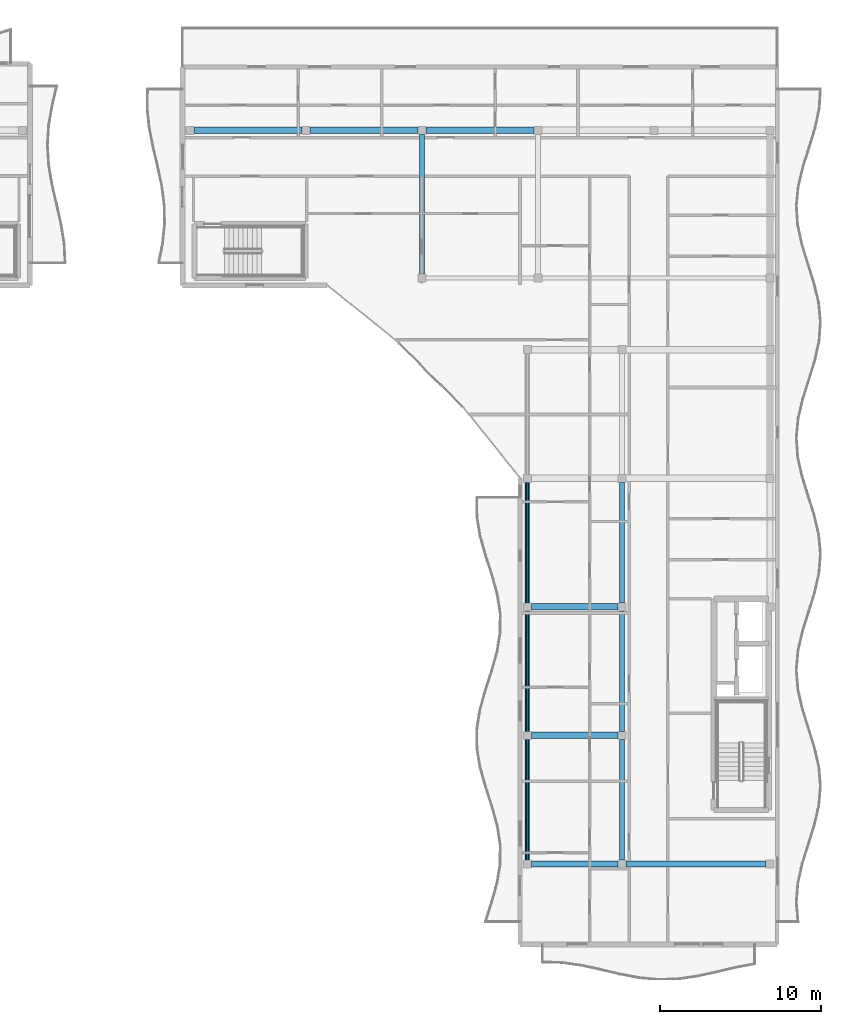
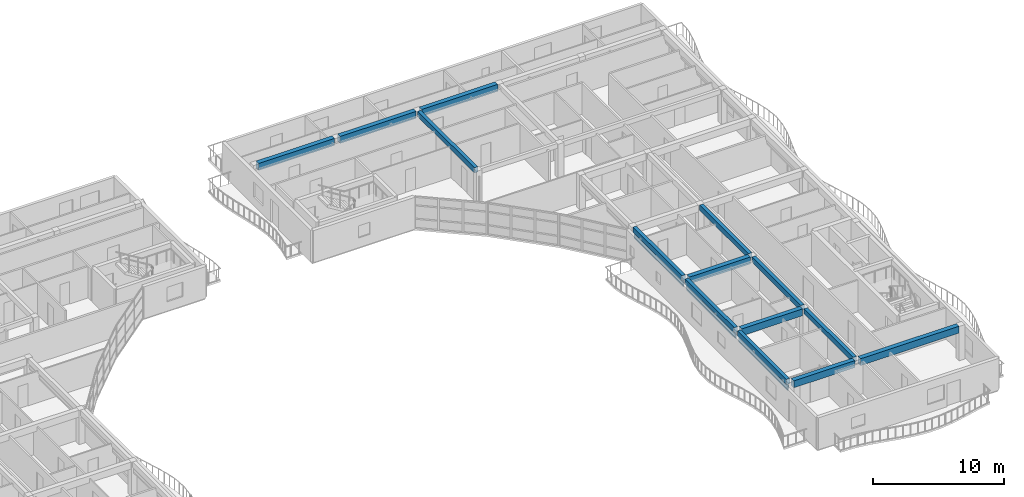
# One storey, part 14 of 39: 14 beams, 6 members.
"""IFC4 building model written with IfcOpenShell, lengths in metres."""

from ifc_helpers import new_model, si_unit, direction, frame, origin, origin_2d, place, context, subcontext, project, spatial, rectangle, hollow_rectangle, extrude, material, material_profile, profile_set, type_object, element, save


model = new_model("IFC4")

# Units and contexts
model_context = context("Model", 3, precision=1e-05, world=origin(), true_north=direction((0.0, 1.0)))
body_context = subcontext(model_context, "Body", "Model", "MODEL_VIEW")
ifc_project = project(units=[si_unit("LENGTHUNIT", "METRE"), si_unit("AREAUNIT", "SQUARE_METRE"), si_unit("VOLUMEUNIT", "CUBIC_METRE"), si_unit("PLANEANGLEUNIT", "RADIAN"), si_unit("MASSUNIT", "GRAM", prefix="KILO")], contexts=[model_context])

# Site, building, storey
site_placement = place(None, origin())
site = spatial("IfcSite", under=ifc_project, at=site_placement, CompositionType="ELEMENT")
building_placement = place(site_placement, origin())
building = spatial("IfcBuilding", under=site, at=building_placement, Name="Keldmere Railside Commons", CompositionType="ELEMENT")
storey_placement = place(building_placement, frame((0.0, 0.0, 32.9599609375)))
storey = spatial("IfcBuildingStorey", under=building, at=storey_placement, Name="L10", CompositionType="ELEMENT", Elevation=32.9599609375)

# Members
ifc_material_1 = material(Name="Steel F-36 (S355)", Category="steel")
ifc_material_profile_1 = material_profile(ifc_material_1, hollow_rectangle(XDim=0.14990234375, YDim=0.25, WallThickness=0.010009765625, at=origin_2d()), Name="RHS-250x150x10")
ifc_profile_set_1 = profile_set([ifc_material_profile_1], Name="Steel F-36 (S355)")
member_type_1 = type_object("IfcMemberType", Name="Balcony Continuous Planted Trough RHS250x150", PredefinedType="CHORD", material=ifc_profile_set_1)
for number, where, z_axis, x_axis, name in (
    (1, (168.449951171875, 64.25, 2.4150390625), (0.0, 1.0, 0.0), (-1.0, 0.0, 0.0), "PLT-1 MEM-BPLT-0995"),
    (2, (168.449951171875, 72.25, 2.4150390625), (0.0, 1.0, 0.0), (-1.0, 0.0, 0.0), "PLT-1 MEM-BPLT-0997"),
    (3, (168.449951171875, 80.25, 2.4150390625), (0.0, 1.0, 0.0), (-1.0, 0.0, 0.0), "PLT-1 MEM-BPLT-0999"),
):
    element("IfcMember", number, at=place(storey_placement, frame(where, z_axis=z_axis, x_axis=x_axis)), inside=storey, type_object=member_type_1, Name=name, PredefinedType="CHORD", context=body_context, shape_type="SweptSolid", body=[
        extrude(hollow_rectangle(XDim=0.14990234375, YDim=0.25, WallThickness=0.010009765625, at=origin_2d()), origin(), (0.0, 0.0, 1.0), 7.5),
    ])

# Beams
ifc_material_2 = material(Name="Concrete H-30 (C30/37)", Category="concrete")
ifc_material_profile_2 = material_profile(ifc_material_2, rectangle(XDim=0.39990234375, YDim=0.64990234375, at=origin_2d()), Name="RC-400x650")
ifc_profile_set_2 = profile_set([ifc_material_profile_2], Name="Concrete H-30 (C30/37)")
beam_type_1 = type_object("IfcBeamType", Name="Residential Spine RC Girder 400x650", PredefinedType="BEAM", material=ifc_profile_set_2)
beam_1_placement = place(storey_placement, frame((168.699951171875, 64.0, 2.875), z_axis=(1.0, 0.0, 0.0), x_axis=(0.0, 1.0, 0.0)))
element("IfcBeam", 4, at=beam_1_placement, inside=storey, type_object=beam_type_1, Name="BG-3 BM-L10-2369", PredefinedType="BEAM", context=body_context, shape_type="SweptSolid", body=[
    extrude(rectangle(XDim=0.39990234375, YDim=0.64990234375, at=origin_2d()), origin(), (0.0, 0.0, 1.0), 5.400146484375),
])
beam_2_placement = place(storey_placement, frame((174.60009765625, 64.0, 2.875), z_axis=(1.0, 0.0, 0.0), x_axis=(0.0, 1.0, 0.0)))
element("IfcBeam", 5, at=beam_2_placement, inside=storey, type_object=beam_type_1, Name="BG-3 BM-L10-2370", PredefinedType="BEAM", context=body_context, shape_type="SweptSolid", body=[
    extrude(rectangle(XDim=0.39990234375, YDim=0.64990234375, at=origin_2d()), origin(), (0.0, 0.0, 1.0), 8.699951171875),
])
for number, where, z_axis, x_axis, name in (
    (6, (168.699951171875, 72.0, 2.875), (1.0, 0.0, 0.0), (0.0, 1.0, 0.0), "BG-3 BM-L10-2372"),
    (7, (168.699951171875, 80.0, 2.875), (1.0, 0.0, 0.0), (0.0, 1.0, 0.0), "BG-3 BM-L10-2374"),
):
    element("IfcBeam", number, at=place(storey_placement, frame(where, z_axis=z_axis, x_axis=x_axis)), inside=storey, type_object=beam_type_1, Name=name, PredefinedType="BEAM", context=body_context, shape_type="SweptSolid", body=[
        extrude(rectangle(XDim=0.39990234375, YDim=0.64990234375, at=origin_2d()), origin(), (0.0, 0.0, 1.0), 5.400146484375),
    ])
for number, where, z_axis, x_axis, name in (
    (8, (147.699951171875, 109.64990234375, 2.875), (1.0, 0.0, 0.0), (0.0, 1.0, 0.0), "BG-3 BM-L10-2395"),
    (9, (154.919921875, 109.64990234375, 2.875), (1.0, 0.0, 0.0), (0.0, 1.0, 0.0), "BG-3 BM-L10-2396"),
):
    element("IfcBeam", number, at=place(storey_placement, frame(where, z_axis=z_axis, x_axis=x_axis)), inside=storey, type_object=beam_type_1, Name=name, PredefinedType="BEAM", context=body_context, shape_type="SweptSolid", body=[
        extrude(rectangle(XDim=0.39990234375, YDim=0.64990234375, at=origin_2d()), origin(), (0.0, 0.0, 1.0), 6.719970703125),
    ])
beam_3_placement = place(storey_placement, frame((162.139892578125, 109.64990234375, 2.875), z_axis=(1.0, 0.0, 0.0), x_axis=(0.0, 1.0, 0.0)))
element("IfcBeam", 10, at=beam_3_placement, inside=storey, type_object=beam_type_1, Name="BG-3 BM-L10-2397", PredefinedType="BEAM", context=body_context, shape_type="SweptSolid", body=[
    extrude(rectangle(XDim=0.39990234375, YDim=0.64990234375, at=origin_2d()), origin(), (0.0, 0.0, 1.0), 6.72021484375),
])
ifc_material_profile_3 = material_profile(ifc_material_2, rectangle(XDim=0.300048828125, YDim=0.5, at=origin_2d()), Name="RC-300x500")
ifc_profile_set_3 = profile_set([ifc_material_profile_3], Name="Concrete H-30 (C30/37)")
beam_type_2 = type_object("IfcBeamType", Name="Secondary Frame RC Beam 300x500", PredefinedType="BEAM", material=ifc_profile_set_3)
beam_4_placement = place(storey_placement, frame((161.889892578125, 100.699951171875, 2.949951171875), z_axis=(0.0, 1.0, 0.0), x_axis=(-1.0, 0.0, 0.0)))
element("IfcBeam", 11, at=beam_4_placement, inside=storey, type_object=beam_type_2, Name="BG-5 BM-L10-2414", PredefinedType="BEAM", context=body_context, shape_type="SweptSolid", body=[
    extrude(rectangle(XDim=0.300048828125, YDim=0.5, at=origin_2d()), origin(), (0.0, 0.0, 1.0), 8.699951171875),
])
for number, where, z_axis, x_axis, name in (
    (12, (168.449951171875, 64.25, 2.949951171875), (0.0, 1.0, 0.0), (-1.0, 0.0, 0.0), "BG-5 BM-L10-2415"),
    (13, (168.449951171875, 72.25, 2.949951171875), (0.0, 1.0, 0.0), (-1.0, 0.0, 0.0), "BG-5 BM-L10-2416"),
    (14, (168.449951171875, 80.25, 2.949951171875), (0.0, 1.0, 0.0), (-1.0, 0.0, 0.0), "BG-5 BM-L10-2417"),
    (15, (174.35009765625, 64.25, 2.949951171875), (0.0, 1.0, 0.0), (-1.0, 0.0, 0.0), "BG-5 BM-L10-2420"),
    (16, (174.35009765625, 72.25, 2.949951171875), (0.0, 1.0, 0.0), (-1.0, 0.0, 0.0), "BG-5 BM-L10-2421"),
    (17, (174.35009765625, 80.25, 2.949951171875), (0.0, 1.0, 0.0), (-1.0, 0.0, 0.0), "BG-5 BM-L10-2422"),
):
    element("IfcBeam", number, at=place(storey_placement, frame(where, z_axis=z_axis, x_axis=x_axis)), inside=storey, type_object=beam_type_2, Name=name, PredefinedType="BEAM", context=body_context, shape_type="SweptSolid", body=[
        extrude(rectangle(XDim=0.300048828125, YDim=0.5, at=origin_2d()), origin(), (0.0, 0.0, 1.0), 7.5),
    ])

# Members
ifc_material_profile_4 = material_profile(ifc_material_1, hollow_rectangle(XDim=0.10009765625, YDim=0.159912109375, WallThickness=0.008056640625, at=origin_2d()), Name="RHS-160x100x8")
ifc_profile_set_4 = profile_set([ifc_material_profile_4], Name="Steel F-36 (S355)")
member_type_2 = type_object("IfcMemberType", Name="Solar Brise-Soleil Louvre Fin RHS160x100", PredefinedType="STRUT", material=ifc_profile_set_4)
for number, where, z_axis, x_axis, name in (
    (18, (168.449951171875, 64.25, 2.199951171875), (0.0, 1.0, 0.0), (-1.0, 0.0, 0.0), "BSF-1 MEM-BSF-0996"),
    (19, (168.449951171875, 72.25, 2.199951171875), (0.0, 1.0, 0.0), (-1.0, 0.0, 0.0), "BSF-1 MEM-BSF-0998"),
    (20, (168.449951171875, 80.25, 2.199951171875), (0.0, 1.0, 0.0), (-1.0, 0.0, 0.0), "BSF-1 MEM-BSF-1000"),
):
    element("IfcMember", number, at=place(storey_placement, frame(where, z_axis=z_axis, x_axis=x_axis)), inside=storey, type_object=member_type_2, Name=name, PredefinedType="STRUT", context=body_context, shape_type="SweptSolid", body=[
        extrude(hollow_rectangle(XDim=0.10009765625, YDim=0.159912109375, WallThickness=0.008056640625, at=origin_2d()), origin(), (0.0, 0.0, 1.0), 7.5),
    ])

save(model, "model.ifc")
